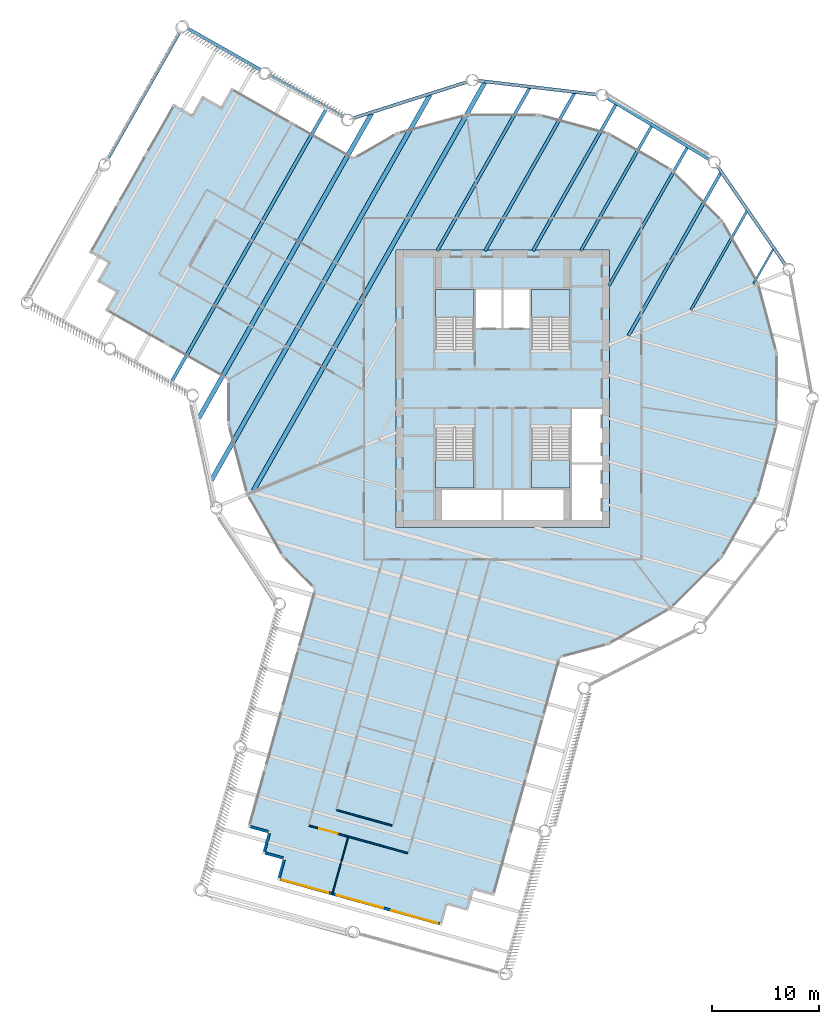
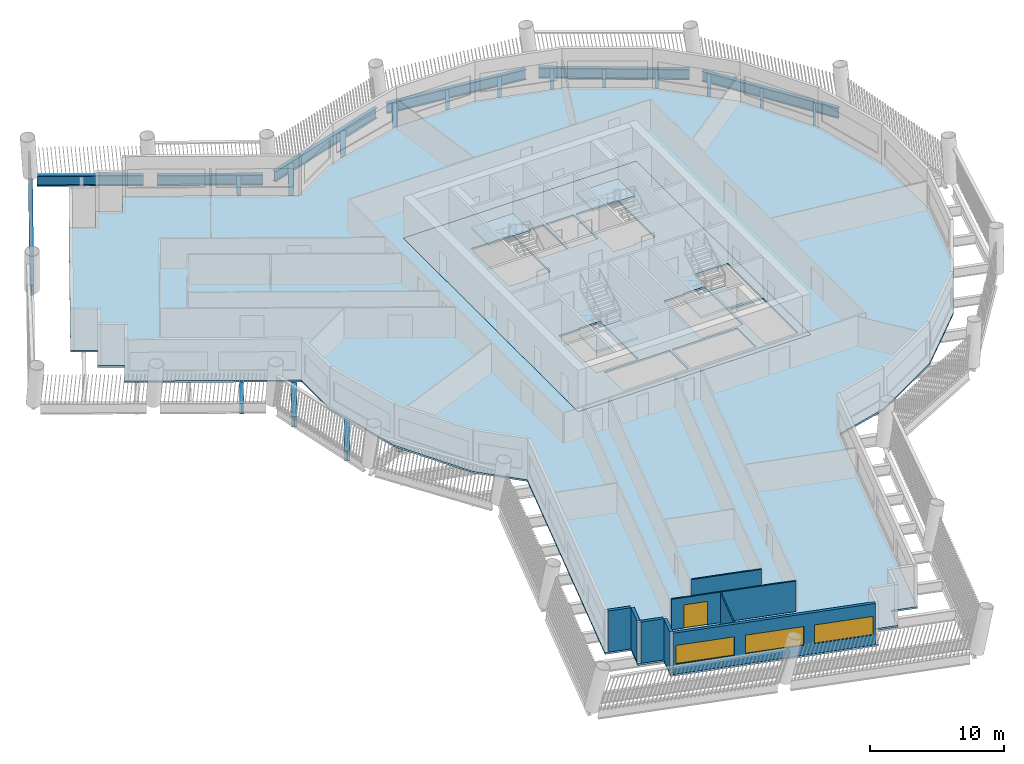
# One storey, part 2 of 15: 19 beams, 8 walls, 6 slabs, 3 windows, 1 door, 4 openings, 4 elements without a shape of their own.
"""IFC4 building model written with IfcOpenShell, lengths in metres."""

from ifc_helpers import new_model, si_unit, direction, frame, frame_2d, origin, origin_2d, place, context, subcontext, project, spatial, polyline, rectangle, i_section, outline, extrude, material, layer, layer_set, material_profile, profile_set, type_object, element, fill, aggregate, save


model = new_model("IFC4")

# Units and contexts
model_context = context("Model", 3, precision=1e-05, world=origin(), true_north=direction((0.0, 1.0)))
body_context = subcontext(model_context, "Body", "Model", "MODEL_VIEW")
ifc_project = project(units=[si_unit("LENGTHUNIT", "METRE"), si_unit("AREAUNIT", "SQUARE_METRE"), si_unit("VOLUMEUNIT", "CUBIC_METRE"), si_unit("PLANEANGLEUNIT", "RADIAN"), si_unit("MASSUNIT", "GRAM", prefix="KILO")], contexts=[model_context])

# Site, building, storey
site_placement = place(None, origin())
site = spatial("IfcSite", under=ifc_project, at=site_placement, CompositionType="ELEMENT")
building_placement = place(site_placement, origin())
building = spatial("IfcBuilding", under=site, at=building_placement, Name="Tarsis Ring Headquarters", CompositionType="ELEMENT")
storey_placement = place(building_placement, frame((0.0, 0.0, 159.300048828125)))
storey = spatial("IfcBuildingStorey", under=building, at=storey_placement, Name="L36", CompositionType="ELEMENT", Elevation=159.300048828125)

# Beams
ifc_material_1 = material(Name="Structural steel S355", Category="steel")
ifc_material_profile_1 = material_profile(ifc_material_1, i_section(OverallWidth=0.177734375, OverallDepth=0.406494140625, WebThickness=0.0078125, FlangeThickness=0.0126953125, at=origin_2d()), Name="W16x40")
ifc_profile_set_1 = profile_set([ifc_material_profile_1], Name="Structural steel S355")
beam_type_1 = type_object("IfcBeamType", Name="FB Floor beam W16x40", PredefinedType="JOIST", material=ifc_profile_set_1)
beam_1_placement = place(storey_placement, frame((25.3720703125, 13.114013671875, -0.36328125), z_axis=(-0.493337931923, -0.869837734826, 0.0), x_axis=(0.869837734826, -0.493337931923, 0.0)))
element("IfcBeam", 1, at=beam_1_placement, inside=storey, type_object=beam_type_1, Name="Floor beam FB1", PredefinedType="JOIST", context=body_context, shape_type="SweptSolid", body=[
    extrude(i_section(OverallWidth=0.177734375, OverallDepth=0.406494140625, WebThickness=0.0078125, FlangeThickness=0.0126953125, at=origin_2d()), origin(), (0.0, 0.0, 1.0), 3.80517578125),
])
ifc_material_profile_2 = material_profile(ifc_material_1, i_section(OverallWidth=0.228271484375, OverallDepth=0.607177734375, WebThickness=0.01123046875, FlangeThickness=0.017333984375, at=origin_2d()), Name="W24x76")
ifc_profile_set_2 = profile_set([ifc_material_profile_2], Name="Structural steel S355")
beam_type_2 = type_object("IfcBeamType", Name="FB Floor beam W24x76", PredefinedType="JOIST", material=ifc_profile_set_2)
beam_2_placement = place(storey_placement, frame((22.910888671875, 16.679931640625, -0.463623046875), z_axis=(-0.493326171547, -0.869844404745, 0.0), x_axis=(0.869844404745, -0.493326171547, 0.0)))
element("IfcBeam", 2, at=beam_2_placement, inside=storey, type_object=beam_type_2, Name="Floor beam FB4", PredefinedType="JOIST", context=body_context, shape_type="SweptSolid", body=[
    extrude(i_section(OverallWidth=0.228271484375, OverallDepth=0.607177734375, WebThickness=0.01123046875, FlangeThickness=0.017333984375, at=origin_2d()), origin(), (0.0, 0.0, 1.0), 10.6845703125),
])
ifc_material_profile_3 = material_profile(ifc_material_1, i_section(OverallWidth=0.2666015625, OverallDepth=0.7568359375, WebThickness=0.013916015625, FlangeThickness=0.019287109375, at=origin_2d()), Name="W30x108")
ifc_profile_set_3 = profile_set([ifc_material_profile_3], Name="Structural steel S355")
beam_type_3 = type_object("IfcBeamType", Name="FB Floor beam W30x108", PredefinedType="JOIST", material=ifc_profile_set_3)
beam_3_placement = place(storey_placement, frame((17.32861328125, 22.64794921875, -0.53857421875), z_axis=(-0.493337524664, -0.869837965806, 0.0), x_axis=(0.869837965806, -0.493337524664, 0.0)))
element("IfcBeam", 3, at=beam_3_placement, inside=storey, type_object=beam_type_3, Name="Floor beam FB6", PredefinedType="JOIST", context=body_context, shape_type="SweptSolid", body=[
    extrude(i_section(OverallWidth=0.2666015625, OverallDepth=0.7568359375, WebThickness=0.013916015625, FlangeThickness=0.019287109375, at=origin_2d()), origin(), (0.0, 0.0, 1.0), 14.955078125),
])
beam_4_placement = place(storey_placement, frame((13.986083984375, 24.66015625, -0.53857421875), z_axis=(-0.493330918793, -0.869841712361, 0.0), x_axis=(0.869841712361, -0.493330918793, 0.0)))
element("IfcBeam", 4, at=beam_4_placement, inside=storey, type_object=beam_type_3, Name="Floor beam FB6", PredefinedType="JOIST", context=body_context, shape_type="SweptSolid", body=[
    extrude(i_section(OverallWidth=0.2666015625, OverallDepth=0.7568359375, WebThickness=0.013916015625, FlangeThickness=0.019287109375, at=origin_2d()), origin(), (0.0, 0.0, 1.0), 13.5048828125),
])
ifc_material_profile_4 = material_profile(ifc_material_1, i_section(OverallWidth=0.2919921875, OverallDepth=0.835693359375, WebThickness=0.013916015625, FlangeThickness=0.018798828125, at=origin_2d()), Name="W33x118")
ifc_profile_set_4 = profile_set([ifc_material_profile_4], Name="Structural steel S355")
beam_type_4 = type_object("IfcBeamType", Name="FB Floor beam W33x118", PredefinedType="JOIST", material=ifc_profile_set_4)
beam_5_placement = place(storey_placement, frame((20.449951171875, 20.24609375, -0.577880859375), z_axis=(-0.493334140812, -0.869839884984, 0.0), x_axis=(0.869839884984, -0.493334140812, 0.0)))
element("IfcBeam", 5, at=beam_5_placement, inside=storey, type_object=beam_type_4, Name="Floor beam FB7", PredefinedType="JOIST", context=body_context, shape_type="SweptSolid", body=[
    extrude(i_section(OverallWidth=0.2919921875, OverallDepth=0.835693359375, WebThickness=0.013916015625, FlangeThickness=0.018798828125, at=origin_2d()), origin(), (0.0, 0.0, 1.0), 17.564208984375),
])
beam_6_placement = place(storey_placement, frame((10.6435546875, 26.672119140625, -0.577880859375), z_axis=(-0.493332262177, -0.869840950459, 0.0), x_axis=(0.869840950459, -0.493332262177, 0.0)))
element("IfcBeam", 6, at=beam_6_placement, inside=storey, type_object=beam_type_4, Name="Floor beam FB7", PredefinedType="JOIST", context=body_context, shape_type="SweptSolid", body=[
    extrude(i_section(OverallWidth=0.2919921875, OverallDepth=0.835693359375, WebThickness=0.013916015625, FlangeThickness=0.018798828125, at=origin_2d()), origin(), (0.0, 0.0, 1.0), 15.81787109375),
])
beam_7_placement = place(storey_placement, frame((6.76171875, 27.73291015625, -0.577880859375), z_axis=(-0.493340105608, -0.869836501993, 0.0), x_axis=(0.869836501993, -0.493340105608, 0.0)))
element("IfcBeam", 7, at=beam_7_placement, inside=storey, type_object=beam_type_4, Name="Floor beam FB7", PredefinedType="JOIST", context=body_context, shape_type="SweptSolid", body=[
    extrude(i_section(OverallWidth=0.2919921875, OverallDepth=0.835693359375, WebThickness=0.013916015625, FlangeThickness=0.018798828125, at=origin_2d()), origin(), (0.0, 0.0, 1.0), 17.03759765625),
])
beam_8_placement = place(storey_placement, frame((2.558349609375, 28.22705078125, -0.577880859375), z_axis=(-0.493330239741, -0.869842097485, 0.0), x_axis=(0.869842097485, -0.493330239741, 0.0)))
element("IfcBeam", 8, at=beam_8_placement, inside=storey, type_object=beam_type_4, Name="Floor beam FB7", PredefinedType="JOIST", context=body_context, shape_type="SweptSolid", body=[
    extrude(i_section(OverallWidth=0.2919921875, OverallDepth=0.835693359375, WebThickness=0.013916015625, FlangeThickness=0.018798828125, at=origin_2d()), origin(), (0.0, 0.0, 1.0), 17.60546875),
])
ifc_material_profile_5 = material_profile(ifc_material_1, i_section(OverallWidth=0.309814453125, OverallDepth=0.949951171875, WebThickness=0.0244140625, FlangeThickness=0.0439453125, at=origin_2d()), Name="W36x256")
ifc_profile_set_5 = profile_set([ifc_material_profile_5], Name="Structural steel S355")
beam_type_5 = type_object("IfcBeamType", Name="FB Floor beam W36x256", PredefinedType="JOIST", material=ifc_profile_set_5)
beam_9_placement = place(storey_placement, frame((-16.472412109375, 26.2939453125, -0.635009765625), z_axis=(-0.493327951926, -0.869843395013, 0.0), x_axis=(0.869843395013, -0.493327951926, 0.0)))
element("IfcBeam", 9, at=beam_9_placement, inside=storey, type_object=beam_type_5, Name="Floor beam FB11", PredefinedType="JOIST", context=body_context, shape_type="SweptSolid", body=[
    extrude(i_section(OverallWidth=0.309814453125, OverallDepth=0.949951171875, WebThickness=0.0244140625, FlangeThickness=0.0439453125, at=origin_2d()), origin(), (0.0, 0.0, 1.0), 29.490234375),
])
ifc_material_profile_6 = material_profile(ifc_material_1, i_section(OverallWidth=0.42431640625, OverallDepth=0.947509765625, WebThickness=0.02392578125, FlangeThickness=0.042724609375, at=origin_2d()), Name="W36x302")
ifc_profile_set_6 = profile_set([ifc_material_profile_6], Name="Structural steel S355")
beam_type_6 = type_object("IfcBeamType", Name="FB Floor beam W36x302", PredefinedType="JOIST", material=ifc_profile_set_6)
beam_10_placement = place(storey_placement, frame((-1.64501953125, 28.72119140625, -0.6337890625), z_axis=(-0.493334213824, -0.869839843575, 0.0), x_axis=(0.869839843575, -0.493334213824, 0.0)))
element("IfcBeam", 10, at=beam_10_placement, inside=storey, type_object=beam_type_6, Name="Floor beam FB12", PredefinedType="JOIST", context=body_context, shape_type="SweptSolid", body=[
    extrude(i_section(OverallWidth=0.42431640625, OverallDepth=0.947509765625, WebThickness=0.02392578125, FlangeThickness=0.042724609375, at=origin_2d()), origin(), (0.0, 0.0, 1.0), 43.98681640625),
])
beam_11_placement = place(storey_placement, frame((-6.796142578125, 27.544189453125, -0.6337890625), z_axis=(-0.493335789832, -0.869838949732, 0.0), x_axis=(0.869838949732, -0.493335789832, 0.0)))
element("IfcBeam", 11, at=beam_11_placement, inside=storey, type_object=beam_type_6, Name="Floor beam FB12", PredefinedType="JOIST", context=body_context, shape_type="SweptSolid", body=[
    extrude(i_section(OverallWidth=0.42431640625, OverallDepth=0.947509765625, WebThickness=0.02392578125, FlangeThickness=0.042724609375, at=origin_2d()), origin(), (0.0, 0.0, 1.0), 41.523681640625),
])
beam_12_placement = place(storey_placement, frame((-12.26611328125, 25.804931640625, -0.6337890625), z_axis=(-0.493334822217, -0.869839498521, 0.0), x_axis=(0.869839498521, -0.493334822217, 0.0)))
element("IfcBeam", 12, at=beam_12_placement, inside=storey, type_object=beam_type_6, Name="Floor beam FB12", PredefinedType="JOIST", context=body_context, shape_type="SweptSolid", body=[
    extrude(i_section(OverallWidth=0.42431640625, OverallDepth=0.947509765625, WebThickness=0.02392578125, FlangeThickness=0.042724609375, at=origin_2d()), origin(), (0.0, 0.0, 1.0), 32.875244140625),
])
beam_type_7 = type_object("IfcBeamType", Name="XG Ring girder W36x256", PredefinedType="BEAM", material=ifc_profile_set_5)
beam_13_placement = place(storey_placement, frame((26.563232421875, 11.502197265625, -0.47509765625), z_axis=(-0.568003393494, 0.823026211599, 0.0), x_axis=(-0.823026211599, -0.568003393494, 0.0)))
element("IfcBeam", 13, at=beam_13_placement, inside=storey, type_object=beam_type_7, Name="Ring girder XG2", PredefinedType="BEAM", context=body_context, shape_type="SweptSolid", body=[
    extrude(i_section(OverallWidth=0.309814453125, OverallDepth=0.949951171875, WebThickness=0.0244140625, FlangeThickness=0.0439453125, at=origin_2d()), origin(), (0.0, 0.0, 1.0), 11.242919921875),
])
for number, where, z_axis, x_axis, name in (
    (14, (19.460693359375, 21.4287109375, -0.47509765625), (-0.856754382453, 0.515724663117, 0.0), (-0.515724663117, -0.856754382453, 0.0), "Ring girder XG2"),
    (15, (8.89794921875, 27.545166015625, -0.47509765625), (-0.993162753222, 0.116737935617, 0.0), (-0.116737935617, -0.993162753222, 0.0), "Ring girder XG2"),
):
    element("IfcBeam", number, at=place(storey_placement, frame(where, z_axis=z_axis, x_axis=x_axis)), inside=storey, type_object=beam_type_7, Name=name, PredefinedType="BEAM", context=body_context, shape_type="SweptSolid", body=[
        extrude(i_section(OverallWidth=0.309814453125, OverallDepth=0.949951171875, WebThickness=0.0244140625, FlangeThickness=0.0439453125, at=origin_2d()), origin(), (0.0, 0.0, 1.0), 11.2431640625),
    ])
beam_14_placement = place(storey_placement, frame((-3.2470703125, 28.763916015625, -0.47509765625), z_axis=(-0.952986791007, -0.303011841628, 0.0), x_axis=(0.303011841628, -0.952986791007, 0.0)))
element("IfcBeam", 16, at=beam_14_placement, inside=storey, type_object=beam_type_7, Name="Ring girder XG2", PredefinedType="BEAM", context=body_context, shape_type="SweptSolid", body=[
    extrude(i_section(OverallWidth=0.309814453125, OverallDepth=0.949951171875, WebThickness=0.0244140625, FlangeThickness=0.0439453125, at=origin_2d()), origin(), (0.0, 0.0, 1.0), 11.242919921875),
])
beam_15_placement = place(storey_placement, frame((-14.878173828125, 25.452880859375, -0.47509765625), z_axis=(-0.869844422868, 0.493326139592, 0.0), x_axis=(-0.493326139592, -0.869844422868, 0.0)))
element("IfcBeam", 17, at=beam_15_placement, inside=storey, type_object=beam_type_7, Name="Ring girder XG2", PredefinedType="BEAM", context=body_context, shape_type="SweptSolid", body=[
    extrude(i_section(OverallWidth=0.309814453125, OverallDepth=0.949951171875, WebThickness=0.0244140625, FlangeThickness=0.0439453125, at=origin_2d()), origin(), (0.0, 0.0, 1.0), 7.896484375),
])
beam_16_placement = place(storey_placement, frame((-22.621826171875, 29.8447265625, -0.47509765625), z_axis=(-0.869836898052, 0.493339407291, 0.0), x_axis=(-0.493339407291, -0.869836898052, 0.0)))
element("IfcBeam", 18, at=beam_16_placement, inside=storey, type_object=beam_type_7, Name="Ring girder XG2", PredefinedType="BEAM", context=body_context, shape_type="SweptSolid", body=[
    extrude(i_section(OverallWidth=0.309814453125, OverallDepth=0.949951171875, WebThickness=0.0244140625, FlangeThickness=0.0439453125, at=origin_2d()), origin(), (0.0, 0.0, 1.0), 7.896240234375),
])
beam_17_placement = place(storey_placement, frame((-30.17578125, 33.55078125, -0.47509765625), z_axis=(-0.493342104314, -0.869835368395, 0.0), x_axis=(0.869835368395, -0.493342104314, 0.0)))
element("IfcBeam", 19, at=beam_17_placement, inside=storey, type_object=beam_type_7, Name="Ring girder XG2", PredefinedType="BEAM", context=body_context, shape_type="SweptSolid", body=[
    extrude(i_section(OverallWidth=0.309814453125, OverallDepth=0.949951171875, WebThickness=0.0244140625, FlangeThickness=0.0439453125, at=origin_2d()), origin(), (0.0, 0.0, 1.0), 13.7939453125),
])

# Slab
ifc_material_2 = material(Name="Concrete C40/50", Category="concrete")
ifc_layer_1 = layer(ifc_material_2, 0.159912109375)
ifc_layer_set_1 = layer_set([ifc_layer_1], Name="Core floor slab 160 C40/50")
slab_type_1 = type_object("IfcSlabType", Name="Core floor slab 160 C40/50", PredefinedType="FLOOR", material=ifc_layer_set_1)
slab_1_placement = place(storey_placement, frame((0.0, 0.0, -0.16015625)))
element("IfcSlab", 20, at=slab_1_placement, inside=storey, type_object=slab_type_1, Name="L36 core floor slab", PredefinedType="FLOOR", context=body_context, shape_type="SweptSolid", body=[
    extrude(outline(polyline([(-10.0, -13.0), (10.0, -13.0), (10.0, 13.0), (-10.0, 13.0), (-10.0, -13.0)]), holes=[polyline([(-2.5, 5.699951171875), (-0.10009765625, 5.699951171875), (-0.10009765625, 9.300048828125), (-2.5, 9.300048828125), (-2.5, 5.699951171875)]), polyline([(0.10009765625, 5.699951171875), (2.5, 5.699951171875), (2.5, 9.300048828125), (0.10009765625, 9.300048828125), (0.10009765625, 5.699951171875)]), polyline([(6.5, -12.300048828125), (9.300048828125, -12.300048828125), (9.300048828125, -7.10009765625), (6.5, -7.10009765625), (6.5, -12.300048828125)]), polyline([(6.5, -6.89990234375), (9.300048828125, -6.89990234375), (9.300048828125, -1.89990234375), (6.5, -1.89990234375), (6.5, -6.89990234375)]), polyline([(-5.699951171875, -12.300048828125), (-0.10009765625, -12.300048828125), (-0.10009765625, -9.5), (-5.699951171875, -9.5), (-5.699951171875, -12.300048828125)]), polyline([(0.10009765625, -12.300048828125), (5.699951171875, -12.300048828125), (5.699951171875, -9.5), (0.10009765625, -9.5), (0.10009765625, -12.300048828125)]), polyline([(-2.699951171875, 3.760009765625), (-2.699951171875, 9.300048828125), (-6.300048828125, 9.300048828125), (-6.300048828125, 3.659912109375), (-4.4599609375, 3.659912109375), (-4.4599609375, 3.760009765625), (-2.699951171875, 3.760009765625)]), polyline([(6.300048828125, 3.760009765625), (6.300048828125, 9.300048828125), (2.699951171875, 9.300048828125), (2.699951171875, 3.659912109375), (4.5400390625, 3.659912109375), (4.5400390625, 3.760009765625), (6.300048828125, 3.760009765625)]), polyline([(-6.300048828125, -3.760009765625), (-6.300048828125, -9.300048828125), (-2.699951171875, -9.300048828125), (-2.699951171875, -3.659912109375), (-4.5400390625, -3.659912109375), (-4.5400390625, -3.760009765625), (-6.300048828125, -3.760009765625)]), polyline([(2.699951171875, -3.760009765625), (2.699951171875, -9.300048828125), (6.300048828125, -9.300048828125), (6.300048828125, -3.659912109375), (4.4599609375, -3.659912109375), (4.4599609375, -3.760009765625), (2.699951171875, -3.760009765625)])]), origin(), (0.0, 0.0, 1.0), 0.16015625),
])

# Stair, slab
ifc_material_3 = material(Name="Core stair 1760")
stair_type = type_object("IfcStairType", Name="Core stair 1760", PredefinedType="HALF_TURN_STAIR", material=ifc_material_3)
stair_1_placement = place(storey_placement, origin())
stair_1 = element("IfcStair", 21, at=stair_1_placement, inside=storey, type_object=stair_type, Name="L36 Firefighting stair", PredefinedType="HALF_TURN_STAIR")
ifc_layer_2 = layer(ifc_material_2, 0.199951171875)
ifc_layer_set_2 = layer_set([ifc_layer_2], Name="Core stair landing 200")
slab_type_2 = type_object("IfcSlabType", Name="Core stair landing 200", PredefinedType="LANDING", material=ifc_layer_set_2)
slab_2_placement = place(storey_placement, frame((0.0, 0.0, 1.75)))
slab_2 = element("IfcSlab", 22, at=slab_2_placement, type_object=slab_type_2, Name="Stair ST1 landing 1", PredefinedType="LANDING", context=body_context, shape_type="SweptSolid", body=[
    extrude(outline(polyline([(-2.699951171875, 6.739990234375), (-2.699951171875, 9.300048828125), (-6.300048828125, 9.300048828125), (-6.300048828125, 6.739990234375), (-2.699951171875, 6.739990234375)])), origin(), (0.0, 0.0, 1.0), 0.199951171875),
])
aggregate(stair_1, [slab_2])

stair_2_placement = place(storey_placement, origin())
stair_2 = element("IfcStair", 23, at=stair_2_placement, inside=storey, type_object=stair_type, Name="L36 Exit stair B", PredefinedType="HALF_TURN_STAIR")
slab_3_placement = place(storey_placement, frame((0.0, 0.0, 1.75)))
slab_3 = element("IfcSlab", 24, at=slab_3_placement, type_object=slab_type_2, Name="Stair ST2 landing 1", PredefinedType="LANDING", context=body_context, shape_type="SweptSolid", body=[
    extrude(outline(polyline([(6.300048828125, 6.739990234375), (6.300048828125, 9.300048828125), (2.699951171875, 9.300048828125), (2.699951171875, 6.739990234375), (6.300048828125, 6.739990234375)])), origin(), (0.0, 0.0, 1.0), 0.199951171875),
])
aggregate(stair_2, [slab_3])

stair_3_placement = place(storey_placement, origin())
stair_3 = element("IfcStair", 25, at=stair_3_placement, inside=storey, type_object=stair_type, Name="L36 Exit stair C", PredefinedType="HALF_TURN_STAIR")
slab_4_placement = place(storey_placement, frame((0.0, 0.0, 1.75)))
slab_4 = element("IfcSlab", 26, at=slab_4_placement, type_object=slab_type_2, Name="Stair ST3 landing 1", PredefinedType="LANDING", context=body_context, shape_type="SweptSolid", body=[
    extrude(outline(polyline([(-6.300048828125, -6.739990234375), (-6.300048828125, -9.300048828125), (-2.699951171875, -9.300048828125), (-2.699951171875, -6.739990234375), (-6.300048828125, -6.739990234375)])), origin(), (0.0, 0.0, 1.0), 0.199951171875),
])
aggregate(stair_3, [slab_4])

stair_4_placement = place(storey_placement, origin())
stair_4 = element("IfcStair", 27, at=stair_4_placement, inside=storey, type_object=stair_type, Name="L36 Exit stair D", PredefinedType="HALF_TURN_STAIR")
slab_5_placement = place(storey_placement, frame((0.0, 0.0, 1.75)))
slab_5 = element("IfcSlab", 28, at=slab_5_placement, type_object=slab_type_2, Name="Stair ST4 landing 1", PredefinedType="LANDING", context=body_context, shape_type="SweptSolid", body=[
    extrude(outline(polyline([(2.699951171875, -6.739990234375), (2.699951171875, -9.300048828125), (6.300048828125, -9.300048828125), (6.300048828125, -6.739990234375), (2.699951171875, -6.739990234375)])), origin(), (0.0, 0.0, 1.0), 0.199951171875),
])
aggregate(stair_4, [slab_5])

# Slab
ifc_material_4 = material(Name="Concrete C35/45", Category="concrete")
ifc_layer_3 = layer(ifc_material_4, 0.159912109375)
ifc_layer_set_3 = layer_set([ifc_layer_3], Name="FS Composite floor slab 160")
slab_type_3 = type_object("IfcSlabType", Name="FS Composite floor slab 160", PredefinedType="FLOOR", material=ifc_layer_set_3)
slab_6_placement = place(storey_placement, frame((0.0, 0.0, -0.16015625)))
element("IfcSlab", 29, at=slab_6_placement, inside=storey, type_object=slab_type_3, Name="Floor slab L36", PredefinedType="FLOOR", context=body_context, shape_type="SweptSolid", body=[
    extrude(outline(polyline([(-25.776611328125, 0.82373046875), (-25.781005859375, -3.36669921875), (-24.03125, -9.924560546875), (-20.643798828125, -15.80615234375), (-17.683837890625, -18.7724609375), (-23.899658203125, -41.09521484375), (-21.972900390625, -41.631591796875), (-22.50927734375, -43.558349609375), (-20.582763671875, -44.0947265625), (-21.119140625, -46.021484375), (-5.70556640625, -50.3134765625), (-5.169189453125, -48.38671875), (-3.242431640625, -48.92333984375), (-2.705810546875, -46.99658203125), (-0.779296875, -47.532958984375), (5.43115234375, -25.230224609375), (9.924560546875, -24.03125), (15.80615234375, -20.643798828125), (20.610595703125, -15.849365234375), (24.010498046875, -9.974853515625), (25.77392578125, -3.420654296875), (25.781005859375, 3.36669921875), (24.03125, 9.924560546875), (20.643798828125, 15.80615234375), (15.849365234375, 20.610595703125), (9.974853515625, 24.010498046875), (3.420654296875, 25.77392578125), (-3.36669921875, 25.781005859375), (-9.924560546875, 24.03125), (-13.95458984375, 21.710205078125), (-25.394287109375, 28.1982421875), (-26.380859375, 26.45849609375), (-28.12060546875, 27.445068359375), (-29.107177734375, 25.705322265625), (-30.846923828125, 26.692138671875), (-38.740234375, 12.774658203125), (-37.00048828125, 11.7880859375), (-37.9873046875, 10.04833984375), (-36.24755859375, 9.061767578125), (-37.234130859375, 7.322021484375), (-25.776611328125, 0.82373046875)]), holes=[polyline([(-10.0, -13.0), (-10.0, 13.0), (10.0, 13.0), (10.0, -13.0), (-10.0, -13.0)])]), origin(), (0.0, 0.0, 1.0), 0.16015625),
])

# Wall
ifc_material_5 = material(Name="Gypsum board on steel studs", Category="steel")
ifc_layer_4 = layer(ifc_material_5, 0.10009765625)
ifc_layer_set_4 = layer_set([ifc_layer_4], Name="FL partition 100 unrated")
wall_type_1 = type_object("IfcWallType", Name="FL partition 100 unrated", PredefinedType="PARTITIONING", material=ifc_layer_set_4)
wall_1_placement = place(storey_placement, frame((-15.97119140625, -47.403076171875, 0.0), z_axis=(0.0, 0.0, 1.0), x_axis=(0.268248577925, 0.96334972904, 0.0)))
element("IfcWall", 30, at=wall_1_placement, inside=storey, type_object=wall_type_1, Name="Partition PW3", PredefinedType="PARTITIONING", context=body_context, shape_type="SweptSolid", body=[
    extrude(rectangle(XDim=5.580078125, YDim=0.10009765625, at=frame_2d((2.7900390625, 0.0))), origin(), (0.0, 0.0, 1.0), 2.699951171875),
])

# Wall, opening, door
ifc_layer_5 = layer(ifc_material_5, 0.125)
ifc_layer_set_5 = layer_set([ifc_layer_5], Name="FL partition 125 EI 60 H2770")
wall_type_2 = type_object("IfcWallType", Name="FL partition 125 EI 60 H2770", PredefinedType="PARTITIONING", material=ifc_layer_set_5)
wall_2_placement = place(storey_placement, frame((-18.1259765625, -40.938232421875, 0.0), z_axis=(0.0, 0.0, 1.0), x_axis=(0.963350504895, -0.268245791612, 0.0)))
wall_2 = element("IfcWall", 31, at=wall_2_placement, inside=storey, type_object=wall_type_2, Name="Partition PW1", PredefinedType="PARTITIONING", context=body_context, shape_type="SweptSolid", body=[
    extrude(rectangle(XDim=9.580078125, YDim=0.125, at=frame_2d((4.7900390625, 0.0))), origin(), (0.0, 0.0, 1.0), 2.77001953125),
])
opening_1_placement = place(wall_2_placement, frame((0.976806640625, 0.0, 0.0)))
opening_1 = element("IfcOpeningElement", 32, at=opening_1_placement, cuts=wall_2, Name="Opening D36.09", PredefinedType="OPENING", context=body_context, shape_type="SweptSolid", body=[
    extrude(rectangle(XDim=1.800048828125, YDim=2.10009765625, at=frame_2d((0.89990234375, 1.050048828125))), frame((0.0, 0.072509765625, 0.0), z_axis=(0.0, -1.0, 0.0), x_axis=(1.0, 0.0, 0.0)), (0.0, 0.0, 1.0), 0.14501953125),
])
ifc_material_6 = material(Name="Fire-rated timber door leaf in steel frame", Category="steel")
door_type = type_object("IfcDoorType", Name="FL door FD60-1800", OperationType="DOUBLE_DOOR_SINGLE_SWING", PredefinedType="DOOR", material=ifc_material_6)
door_placement = place(opening_1_placement, origin())
door = element("IfcDoor", 33, at=door_placement, inside=storey, type_object=door_type, Name="Door D36.09", OperationType="DOUBLE_DOOR_SINGLE_SWING", OverallHeight=2.10009765625, OverallWidth=1.800048828125, PredefinedType="DOOR", context=body_context, shape_type="SweptSolid", body=[
    extrude(rectangle(XDim=1.800048828125, YDim=2.10009765625, at=frame_2d((0.89990234375, 1.050048828125))), frame((0.0, 0.02490234375, 0.0), z_axis=(0.0, -1.0, 0.0), x_axis=(1.0, 0.0, 0.0)), (0.0, 0.0, 1.0), 0.050048828125),
])
fill(opening_1, door)

# Walls
wall_3_placement = place(storey_placement, frame((-15.53955078125, -39.478515625, 0.0), z_axis=(0.0, 0.0, 1.0), x_axis=(0.963353244637, -0.26823595219, 0.0)))
element("IfcWall", 34, at=wall_3_placement, inside=storey, type_object=wall_type_2, Name="Partition PW1", PredefinedType="PARTITIONING", context=body_context, shape_type="SweptSolid", body=[
    extrude(rectangle(XDim=5.380126953125, YDim=0.125, at=frame_2d((2.68994140625, 0.0))), origin(), (0.0, 0.0, 1.0), 2.77001953125),
])
ifc_material_7 = material(Name="Terracotta clad insulated panel wall", Category="masonry")
ifc_layer_6 = layer(ifc_material_7, 0.25)
ifc_layer_set_6 = layer_set([ifc_layer_6], Name="Facade wall terracotta panel 250")
wall_type_3 = type_object("IfcWallType", Name="Facade wall terracotta panel 250", PredefinedType="STANDARD", material=ifc_layer_set_6)
for number, where, z_axis, x_axis, name in (
    (35, (-23.625244140625, -41.041748046875, 0.0), (0.0, 0.0, 1.0), (0.96333980727, -0.268284207007, 0.0), "External wall L36-07"),
    (36, (-21.8525390625, -41.6650390625, 0.0), (0.0, 0.0, 1.0), (-0.268118690332, -0.963385887324, 0.0), "External wall L36-08"),
):
    element("IfcWall", number, at=place(storey_placement, frame(where, z_axis=z_axis, x_axis=x_axis)), inside=storey, type_object=wall_type_3, Name=name, PredefinedType="STANDARD", context=body_context, shape_type="SweptSolid", body=[
        extrude(rectangle(XDim=1.75, YDim=0.25, at=frame_2d((0.875, 0.0))), origin(), (0.0, 0.0, 1.0), 3.739990234375),
    ])
wall_4_placement = place(storey_placement, frame((-22.235107421875, -43.5048828125, 0.0), z_axis=(0.0, 0.0, 1.0), x_axis=(0.963349846918, -0.268248154594, 0.0)))
element("IfcWall", 37, at=wall_4_placement, inside=storey, type_object=wall_type_3, Name="External wall L36-09", PredefinedType="STANDARD", context=body_context, shape_type="SweptSolid", body=[
    extrude(rectangle(XDim=1.750244140625, YDim=0.25, at=frame_2d((0.875, 0.0))), origin(), (0.0, 0.0, 1.0), 3.739990234375),
])
wall_5_placement = place(storey_placement, frame((-20.462158203125, -44.12841796875, 0.0), z_axis=(0.0, 0.0, 1.0), x_axis=(-0.268284207007, -0.96333980727, 0.0)))
element("IfcWall", 38, at=wall_5_placement, inside=storey, type_object=wall_type_3, Name="External wall L36-10", PredefinedType="STANDARD", context=body_context, shape_type="SweptSolid", body=[
    extrude(rectangle(XDim=1.75, YDim=0.25, at=frame_2d((0.875, 0.0))), origin(), (0.0, 0.0, 1.0), 3.739990234375),
])

# Wall, openings, windows
wall_6_placement = place(storey_placement, frame((-20.8447265625, -45.96826171875, 0.0), z_axis=(0.0, 0.0, 1.0), x_axis=(0.963351864381, -0.268240909246, 0.0)))
wall_6 = element("IfcWall", 39, at=wall_6_placement, inside=storey, type_object=wall_type_3, Name="External wall L36-11", PredefinedType="STANDARD", context=body_context, shape_type="SweptSolid", body=[
    extrude(rectangle(XDim=15.5, YDim=0.25, at=frame_2d((7.75, 0.0))), origin(), (0.0, 0.0, 1.0), 3.739990234375),
])
opening_2_placement = place(wall_6_placement, frame((0.166748046875, 0.0, 0.89990234375)))
opening_2 = element("IfcOpeningElement", 40, at=opening_2_placement, cuts=wall_6, Name="Opening WN04", PredefinedType="OPENING", context=body_context, shape_type="SweptSolid", body=[
    extrude(rectangle(XDim=4.5, YDim=1.699951171875, at=frame_2d((2.25, 0.85009765625))), frame((0.0, 0.135009765625, 0.0), z_axis=(0.0, -1.0, 0.0), x_axis=(1.0, 0.0, 0.0)), (0.0, 0.0, 1.0), 0.27001953125),
])
opening_3_placement = place(wall_6_placement, frame((5.5, 0.0, 0.89990234375)))
opening_3 = element("IfcOpeningElement", 41, at=opening_3_placement, cuts=wall_6, Name="Opening WN04", PredefinedType="OPENING", context=body_context, shape_type="SweptSolid", body=[
    extrude(rectangle(XDim=4.5, YDim=1.699951171875, at=frame_2d((2.25, 0.85009765625))), frame((0.0, 0.135009765625, 0.0), z_axis=(0.0, -1.0, 0.0), x_axis=(1.0, 0.0, 0.0)), (0.0, 0.0, 1.0), 0.27001953125),
])
opening_4_placement = place(wall_6_placement, frame((10.833251953125, 0.0, 0.89990234375)))
opening_4 = element("IfcOpeningElement", 42, at=opening_4_placement, cuts=wall_6, Name="Opening WN04", PredefinedType="OPENING", context=body_context, shape_type="SweptSolid", body=[
    extrude(rectangle(XDim=4.5, YDim=1.699951171875, at=frame_2d((2.25, 0.85009765625))), frame((0.0, 0.135009765625, 0.0), z_axis=(0.0, -1.0, 0.0), x_axis=(1.0, 0.0, 0.0)), (0.0, 0.0, 1.0), 0.27001953125),
])
ifc_material_8 = material(Name="Aluminium framed double glazing", Category="aluminium")
window_type = type_object("IfcWindowType", Name="Facade window 4500 x 1700", PartitioningType="SINGLE_PANEL", PredefinedType="WINDOW", material=ifc_material_8)
window_1_placement = place(opening_2_placement, origin())
window_1 = element("IfcWindow", 43, at=window_1_placement, inside=storey, type_object=window_type, Name="Window L36-11.1", OverallHeight=1.699951171875, OverallWidth=4.5, PartitioningType="SINGLE_PANEL", PredefinedType="WINDOW", context=body_context, shape_type="SweptSolid", body=[
    extrude(rectangle(XDim=4.5, YDim=1.699951171875, at=frame_2d((2.25, 0.85009765625))), frame((0.0, 0.030029296875, 0.0), z_axis=(0.0, -1.0, 0.0), x_axis=(1.0, 0.0, 0.0)), (0.0, 0.0, 1.0), 0.06005859375),
])
fill(opening_2, window_1)
window_2_placement = place(opening_3_placement, origin())
window_2 = element("IfcWindow", 44, at=window_2_placement, inside=storey, type_object=window_type, Name="Window L36-11.2", OverallHeight=1.699951171875, OverallWidth=4.5, PartitioningType="SINGLE_PANEL", PredefinedType="WINDOW", context=body_context, shape_type="SweptSolid", body=[
    extrude(rectangle(XDim=4.5, YDim=1.699951171875, at=frame_2d((2.25, 0.85009765625))), frame((0.0, 0.030029296875, 0.0), z_axis=(0.0, -1.0, 0.0), x_axis=(1.0, 0.0, 0.0)), (0.0, 0.0, 1.0), 0.06005859375),
])
fill(opening_3, window_2)
window_3_placement = place(opening_4_placement, origin())
window_3 = element("IfcWindow", 45, at=window_3_placement, inside=storey, type_object=window_type, Name="Window L36-11.3", OverallHeight=1.699951171875, OverallWidth=4.5, PartitioningType="SINGLE_PANEL", PredefinedType="WINDOW", context=body_context, shape_type="SweptSolid", body=[
    extrude(rectangle(XDim=4.5, YDim=1.699951171875, at=frame_2d((2.25, 0.85009765625))), frame((0.0, 0.030029296875, 0.0), z_axis=(0.0, -1.0, 0.0), x_axis=(1.0, 0.0, 0.0)), (0.0, 0.0, 1.0), 0.06005859375),
])
fill(opening_4, window_3)

save(model, "model.ifc")
